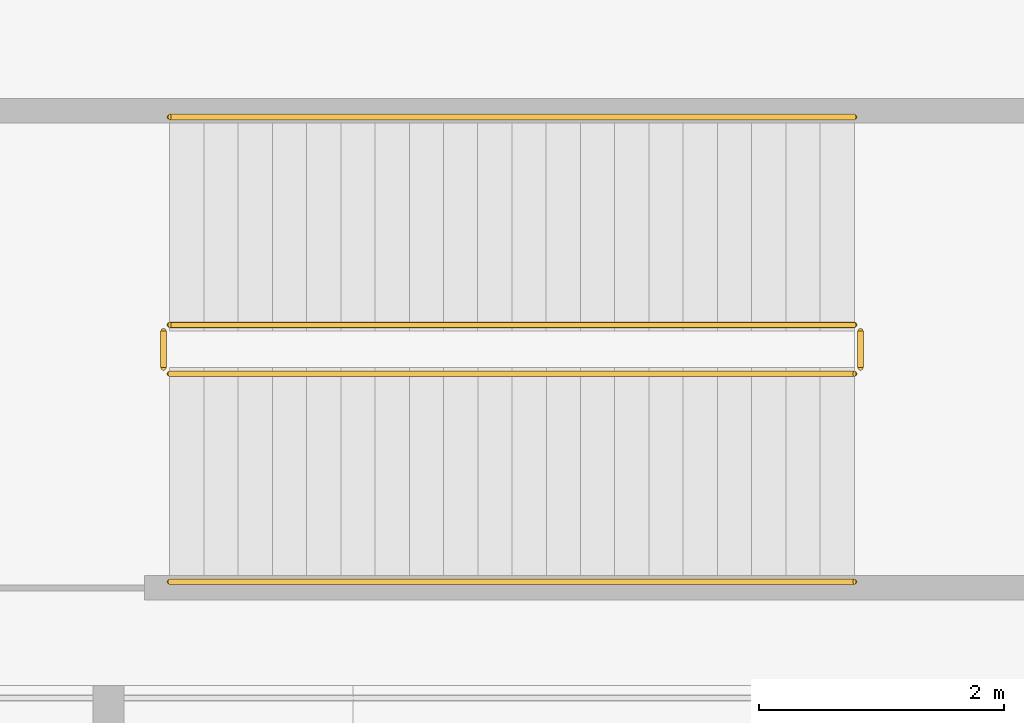
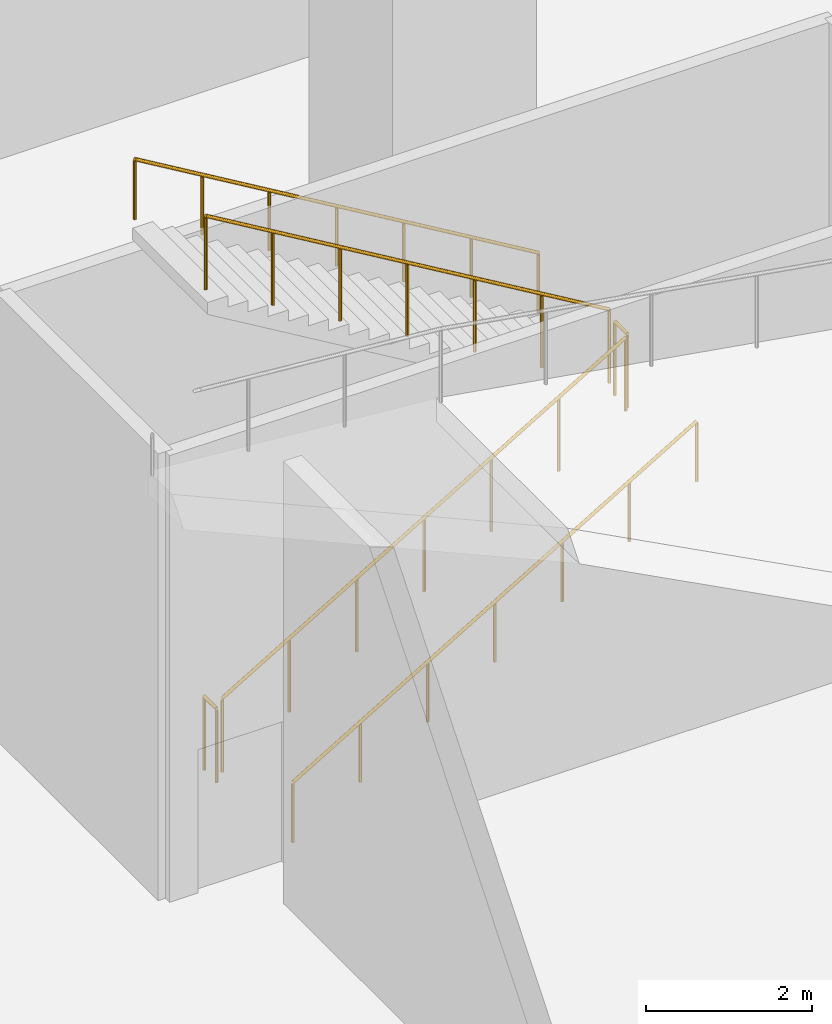
# One storey, part 23 of 30: 6 railings.
"""IFC4 building model written with IfcOpenShell, lengths in metres."""

from ifc_helpers import new_model, si_unit, direction, frame, origin, origin_2d, place, context, subcontext, project, spatial, circle, extrude, material, type_object, element, save


model = new_model("IFC4")

# Units and contexts
model_context = context("Model", 3, precision=1e-05, world=origin(), true_north=direction((0.0, 1.0)))
body_context = subcontext(model_context, "Body", "Model", "MODEL_VIEW")
ifc_project = project(units=[si_unit("LENGTHUNIT", "METRE"), si_unit("AREAUNIT", "SQUARE_METRE"), si_unit("VOLUMEUNIT", "CUBIC_METRE"), si_unit("PLANEANGLEUNIT", "RADIAN"), si_unit("MASSUNIT", "GRAM", prefix="KILO")], contexts=[model_context])

# Site, building, storey
site_placement = place(None, origin())
site = spatial("IfcSite", under=ifc_project, at=site_placement, CompositionType="ELEMENT")
building_placement = place(site_placement, origin())
building = spatial("IfcBuilding", under=site, at=building_placement, Name="Tamarind Cross Interchange Tower", CompositionType="ELEMENT")
storey_placement = place(building_placement, frame((0.0, 0.0, -14.0)))
storey = spatial("IfcBuildingStorey", under=building, at=storey_placement, Name="B2", CompositionType="ELEMENT", Elevation=-14.0)

# Railings
ifc_material_1 = material(Name="Public stair guard")
railing_type_1 = type_object("IfcRailingType", Name="Public stair guard", PredefinedType="GUARDRAIL", material=ifc_material_1)
railing_1_placement = place(storey_placement, frame((-61.199951171875, 46.35009765625, 0.166748046875)))
element("IfcRailing", 1, at=railing_1_placement, inside=storey, type_object=railing_type_1, Name="B2 XS-P05 stair guard 1", PredefinedType="GUARDRAIL", context=body_context, shape_type="SweptSolid", body=[
    extrude(circle(Radius=0.02392578125, at=origin_2d()), frame((0.0, 0.0, 1.076171875), z_axis=(0.859292492371, 0.0, 0.511484518392), x_axis=(0.0, 1.0, 0.0)), (0.0, 0.0, 1.0), 6.516845703125),
    extrude(circle(Radius=0.02099609375, at=origin_2d()), origin(), (0.0, 0.0, 1.0), 1.052001953125),
    extrude(circle(Radius=0.02099609375, at=origin_2d()), frame((0.933349609375, 0.0, 0.5556640625)), (0.0, 0.0, 1.0), 1.052001953125),
    extrude(circle(Radius=0.02099609375, at=origin_2d()), frame((1.86669921875, 0.0, 1.111083984375)), (0.0, 0.0, 1.0), 1.052001953125),
    extrude(circle(Radius=0.02099609375, at=origin_2d()), frame((2.7998046875, 0.0, 1.66650390625)), (0.0, 0.0, 1.0), 1.052001953125),
    extrude(circle(Radius=0.02099609375, at=origin_2d()), frame((3.733154296875, 0.0, 2.22216796875)), (0.0, 0.0, 1.0), 1.052001953125),
    extrude(circle(Radius=0.02099609375, at=origin_2d()), frame((4.66650390625, 0.0, 2.77783203125)), (0.0, 0.0, 1.0), 1.052001953125),
    extrude(circle(Radius=0.02099609375, at=origin_2d()), frame((5.599853515625, 0.0, 3.333251953125)), (0.0, 0.0, 1.0), 1.052001953125),
])
railing_2_placement = place(storey_placement, frame((-55.550048828125, 46.39990234375, 3.5)))
element("IfcRailing", 2, at=railing_2_placement, inside=storey, type_object=railing_type_1, Name="B2 XS-P05 stair guard 2", PredefinedType="GUARDRAIL", context=body_context, shape_type="SweptSolid", body=[
    extrude(circle(Radius=0.02392578125, at=origin_2d()), frame((0.0, 0.0, 1.076171875), z_axis=(0.0, 1.0, 0.0), x_axis=(-1.0, 0.0, 0.0)), (0.0, 0.0, 1.0), 0.300048828125),
    extrude(circle(Radius=0.02099609375, at=origin_2d()), origin(), (0.0, 0.0, 1.0), 1.052001953125),
    extrude(circle(Radius=0.02099609375, at=origin_2d()), frame((0.0, 0.300048828125, 0.0)), (0.0, 0.0, 1.0), 1.052001953125),
])
railing_3_placement = place(storey_placement, frame((-55.60009765625, 46.75, 3.666748046875)))
element("IfcRailing", 3, at=railing_3_placement, inside=storey, type_object=railing_type_1, Name="B2 XS-P05 stair guard 3", PredefinedType="GUARDRAIL", context=body_context, shape_type="SweptSolid", body=[
    extrude(circle(Radius=0.02392578125, at=origin_2d()), frame((0.0, 0.0, 1.076171875), z_axis=(-0.859292492371, 0.0, 0.511484518392), x_axis=(0.0, -1.0, 0.0)), (0.0, 0.0, 1.0), 6.516845703125),
    extrude(circle(Radius=0.02099609375, at=origin_2d()), origin(), (0.0, 0.0, 1.0), 1.052001953125),
    extrude(circle(Radius=0.02099609375, at=origin_2d()), frame((-0.933349609375, 0.0, 0.5556640625)), (0.0, 0.0, 1.0), 1.052001953125),
    extrude(circle(Radius=0.02099609375, at=origin_2d()), frame((-1.86669921875, 0.0, 1.111083984375)), (0.0, 0.0, 1.0), 1.052001953125),
    extrude(circle(Radius=0.02099609375, at=origin_2d()), frame((-2.7998046875, 0.0, 1.66650390625)), (0.0, 0.0, 1.0), 1.052001953125),
    extrude(circle(Radius=0.02099609375, at=origin_2d()), frame((-3.733154296875, 0.0, 2.22216796875)), (0.0, 0.0, 1.0), 1.052001953125),
    extrude(circle(Radius=0.02099609375, at=origin_2d()), frame((-4.66650390625, 0.0, 2.77783203125)), (0.0, 0.0, 1.0), 1.052001953125),
    extrude(circle(Radius=0.02099609375, at=origin_2d()), frame((-5.599853515625, 0.0, 3.333251953125)), (0.0, 0.0, 1.0), 1.052001953125),
])
railing_4_placement = place(storey_placement, frame((-61.25, 46.39990234375, 0.0)))
element("IfcRailing", 4, at=railing_4_placement, inside=storey, type_object=railing_type_1, Name="B2 XS-P05 stair guard 4", PredefinedType="GUARDRAIL", context=body_context, shape_type="SweptSolid", body=[
    extrude(circle(Radius=0.02392578125, at=origin_2d()), frame((0.0, 0.0, 1.076171875), z_axis=(0.0, 1.0, 0.0), x_axis=(-1.0, 0.0, 0.0)), (0.0, 0.0, 1.0), 0.300048828125),
    extrude(circle(Radius=0.02099609375, at=origin_2d()), origin(), (0.0, 0.0, 1.0), 1.052001953125),
    extrude(circle(Radius=0.02099609375, at=origin_2d()), frame((0.0, 0.300048828125, 0.0)), (0.0, 0.0, 1.0), 1.052001953125),
])
ifc_material_2 = material(Name="Public stair handrail")
railing_type_2 = type_object("IfcRailingType", Name="Public stair handrail", PredefinedType="HANDRAIL", material=ifc_material_2)
railing_5_placement = place(storey_placement, frame((-61.199951171875, 44.64990234375, 0.166748046875)))
element("IfcRailing", 5, at=railing_5_placement, inside=storey, type_object=railing_type_2, Name="B2 XS-P05 stair handrail 1", PredefinedType="HANDRAIL", context=body_context, shape_type="SweptSolid", body=[
    extrude(circle(Radius=0.02392578125, at=origin_2d()), frame((0.0, 0.0, 0.8759765625), z_axis=(0.859292492371, 0.0, 0.511484518392), x_axis=(0.0, 1.0, 0.0)), (0.0, 0.0, 1.0), 6.516845703125),
    extrude(circle(Radius=0.02099609375, at=origin_2d()), origin(), (0.0, 0.0, 1.0), 0.851806640625),
    extrude(circle(Radius=0.02099609375, at=origin_2d()), frame((0.933349609375, 0.0, 0.5556640625)), (0.0, 0.0, 1.0), 0.851806640625),
    extrude(circle(Radius=0.02099609375, at=origin_2d()), frame((1.86669921875, 0.0, 1.111083984375)), (0.0, 0.0, 1.0), 0.851806640625),
    extrude(circle(Radius=0.02099609375, at=origin_2d()), frame((2.7998046875, 0.0, 1.66650390625)), (0.0, 0.0, 1.0), 0.851806640625),
    extrude(circle(Radius=0.02099609375, at=origin_2d()), frame((3.733154296875, 0.0, 2.22216796875)), (0.0, 0.0, 1.0), 0.851806640625),
    extrude(circle(Radius=0.02099609375, at=origin_2d()), frame((4.66650390625, 0.0, 2.77783203125)), (0.0, 0.0, 1.0), 0.851806640625),
    extrude(circle(Radius=0.02099609375, at=origin_2d()), frame((5.599853515625, 0.0, 3.333251953125)), (0.0, 0.0, 1.0), 0.851806640625),
])
railing_6_placement = place(storey_placement, frame((-55.60009765625, 48.449951171875, 3.666748046875)))
element("IfcRailing", 6, at=railing_6_placement, inside=storey, type_object=railing_type_2, Name="B2 XS-P05 stair handrail 2", PredefinedType="HANDRAIL", context=body_context, shape_type="SweptSolid", body=[
    extrude(circle(Radius=0.02392578125, at=origin_2d()), frame((0.0, 0.0, 0.8759765625), z_axis=(-0.859292492371, 0.0, 0.511484518392), x_axis=(0.0, -1.0, 0.0)), (0.0, 0.0, 1.0), 6.516845703125),
    extrude(circle(Radius=0.02099609375, at=origin_2d()), origin(), (0.0, 0.0, 1.0), 0.851806640625),
    extrude(circle(Radius=0.02099609375, at=origin_2d()), frame((-0.933349609375, 0.0, 0.5556640625)), (0.0, 0.0, 1.0), 0.851806640625),
    extrude(circle(Radius=0.02099609375, at=origin_2d()), frame((-1.86669921875, 0.0, 1.111083984375)), (0.0, 0.0, 1.0), 0.851806640625),
    extrude(circle(Radius=0.02099609375, at=origin_2d()), frame((-2.7998046875, 0.0, 1.66650390625)), (0.0, 0.0, 1.0), 0.851806640625),
    extrude(circle(Radius=0.02099609375, at=origin_2d()), frame((-3.733154296875, 0.0, 2.22216796875)), (0.0, 0.0, 1.0), 0.851806640625),
    extrude(circle(Radius=0.02099609375, at=origin_2d()), frame((-4.66650390625, 0.0, 2.77783203125)), (0.0, 0.0, 1.0), 0.851806640625),
    extrude(circle(Radius=0.02099609375, at=origin_2d()), frame((-5.599853515625, 0.0, 3.333251953125)), (0.0, 0.0, 1.0), 0.851806640625),
])

save(model, "model.ifc")
